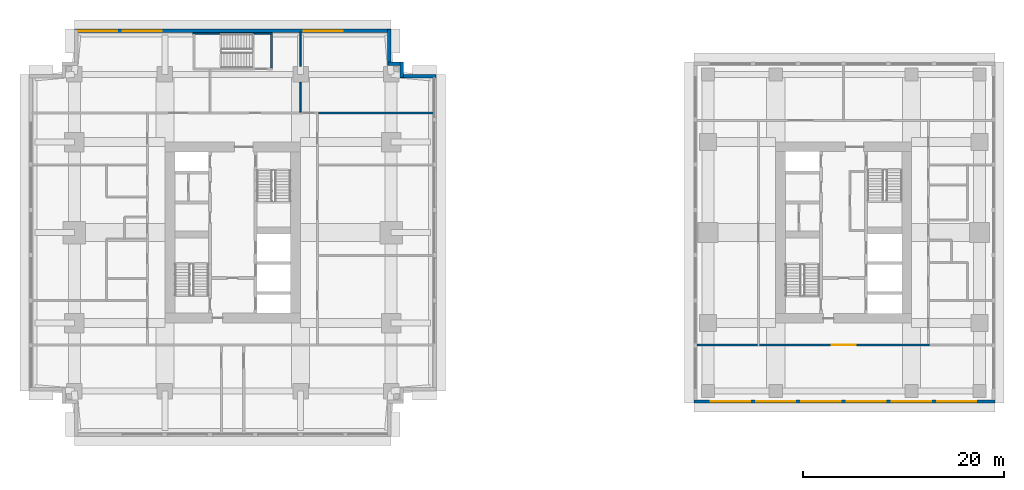
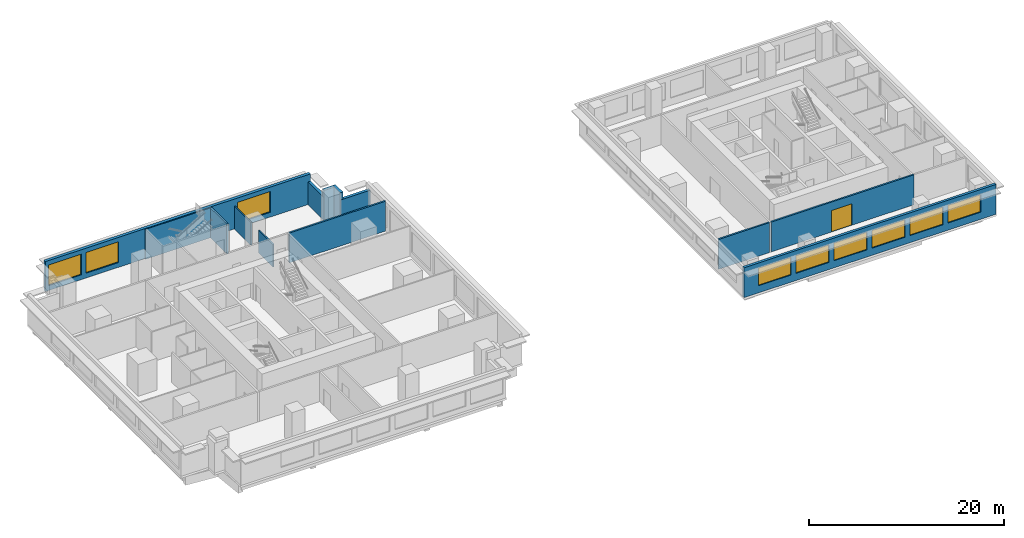
# One storey, part 5 of 10: 13 walls, 9 windows, 1 door, 10 openings.
"""IFC4 building model written with IfcOpenShell, lengths in metres."""

from ifc_helpers import new_model, si_unit, direction, frame, frame_2d, origin, place, context, subcontext, project, spatial, rectangle, extrude, material, layer, layer_set, type_object, element, fill, save


model = new_model("IFC4")

# Units and contexts
model_context = context("Model", 3, precision=1e-05, world=origin(), true_north=direction((0.0, 1.0)))
body_context = subcontext(model_context, "Body", "Model", "MODEL_VIEW")
ifc_project = project(units=[si_unit("LENGTHUNIT", "METRE"), si_unit("AREAUNIT", "SQUARE_METRE"), si_unit("VOLUMEUNIT", "CUBIC_METRE"), si_unit("PLANEANGLEUNIT", "RADIAN"), si_unit("MASSUNIT", "GRAM", prefix="KILO")], contexts=[model_context])

# Site, building, storey
site_placement = place(None, origin())
site = spatial("IfcSite", under=ifc_project, at=site_placement, CompositionType="ELEMENT")
building_placement = place(site_placement, origin())
building = spatial("IfcBuilding", under=site, at=building_placement, Name="Namib Vertical Campus", CompositionType="ELEMENT")
storey_placement = place(building_placement, frame((0.0, 0.0, 229.0)))
storey = spatial("IfcBuildingStorey", under=building, at=storey_placement, Name="L54", CompositionType="ELEMENT", Elevation=229.0)

# Wall
ifc_material_1 = material(Name="Concrete masonry", Category="masonry")
ifc_layer_1 = layer(ifc_material_1, 0.199951171875)
ifc_layer_set_1 = layer_set([ifc_layer_1], Name="Corridor wall 200")
wall_type_1 = type_object("IfcWallType", Name="Corridor wall 200", PredefinedType="SOLIDWALL", material=ifc_layer_set_1)
wall_1_placement = place(storey_placement, frame((28.800048828125, 32.14990234375, 0.0), z_axis=(0.0, 0.0, 1.0), x_axis=(1.0, 0.0, 0.0)))
element("IfcWall", 1, at=wall_1_placement, inside=storey, type_object=wall_type_1, Name="Partition A L54 BNE", PredefinedType="SOLIDWALL", context=body_context, shape_type="SweptSolid", body=[
    extrude(rectangle(XDim=11.39990234375, YDim=0.199951171875, at=frame_2d((5.699951171875, 0.0))), origin(), (0.0, 0.0, 1.0), 3.75),
])

# Wall, opening, door
wall_2_placement = place(storey_placement, frame((72.64990234375, 9.10009765625, 0.0), z_axis=(0.0, 0.0, 1.0), x_axis=(1.0, 0.0, 0.0)))
wall_2 = element("IfcWall", 2, at=wall_2_placement, inside=storey, type_object=wall_type_1, Name="Corridor wall B L54 CS", PredefinedType="SOLIDWALL", context=body_context, shape_type="SweptSolid", body=[
    extrude(rectangle(XDim=16.900146484375, YDim=0.199951171875, at=frame_2d((8.4501953125, 0.0))), origin(), (0.0, 0.0, 1.0), 3.75),
])
opening_1_placement = place(wall_2_placement, frame((7.14990234375, 0.0, 0.0)))
opening_1 = element("IfcOpeningElement", 3, at=opening_1_placement, cuts=wall_2, Name="Opening PD1", PredefinedType="OPENING", context=body_context, shape_type="SweptSolid", body=[
    extrude(rectangle(XDim=2.39990234375, YDim=2.699951171875, at=frame_2d((1.199951171875, 1.35009765625))), frame((0.0, 0.10986328125, 0.0), z_axis=(0.0, -1.0, 0.0), x_axis=(1.0, 0.0, 0.0)), (0.0, 0.0, 1.0), 0.219970703125),
])
ifc_material_2 = material(Name="Steel fire door", Category="steel")
door_type = type_object("IfcDoorType", Name="Plant room door pair 2400x2700 60 min", OperationType="DOUBLE_DOOR_SINGLE_SWING", PredefinedType="DOOR", material=ifc_material_2)
door_placement = place(opening_1_placement, frame((2.39990234375, 0.0, 0.0), z_axis=(0.0, 0.0, 1.0), x_axis=(-1.0, 0.0, 0.0)))
door = element("IfcDoor", 4, at=door_placement, inside=storey, type_object=door_type, Name="Door PD1 B54-01", OperationType="DOUBLE_DOOR_SINGLE_SWING", OverallHeight=2.699951171875, OverallWidth=2.39990234375, PredefinedType="DOOR", context=body_context, shape_type="SweptSolid", body=[
    extrude(rectangle(XDim=2.39990234375, YDim=2.699951171875, at=frame_2d((1.199951171875, 1.35009765625))), frame((0.0, 0.02490234375, 0.0), z_axis=(0.0, -1.0, 0.0), x_axis=(1.0, 0.0, 0.0)), (0.0, 0.0, 1.0), 0.050048828125),
])
fill(opening_1, door)

# Wall
wall_3_placement = place(storey_placement, frame((66.39990234375, 9.10009765625, 0.0), z_axis=(0.0, 0.0, 1.0), x_axis=(1.0, 0.0, 0.0)))
element("IfcWall", 5, at=wall_3_placement, inside=storey, type_object=wall_type_1, Name="Partition B L54 BSW", PredefinedType="SOLIDWALL", context=body_context, shape_type="SweptSolid", body=[
    extrude(rectangle(XDim=6.050048828125, YDim=0.199951171875, at=frame_2d((3.02490234375, 0.0))), origin(), (0.0, 0.0, 1.0), 3.75),
])

# Wall, openings, windows
ifc_material_3 = material(Name="Concrete C40/50", Category="concrete")
ifc_layer_2 = layer(ifc_material_3, 0.300048828125)
ifc_layer_set_2 = layer_set([ifc_layer_2], Name="Concrete C40/50")
wall_type_2 = type_object("IfcWallType", Name="External wall 300 board-marked concrete", PredefinedType="STANDARD", material=ifc_layer_set_2)
wall_4_placement = place(storey_placement, frame((66.1201171875, 3.449951171875, 0.0), z_axis=(0.0, 0.0, 1.0), x_axis=(1.0, 0.0, 0.0)))
wall_4 = element("IfcWall", 6, at=wall_4_placement, inside=storey, type_object=wall_type_2, Name="External wall L54 F01", PredefinedType="STANDARD", context=body_context, shape_type="SweptSolid", body=[
    extrude(rectangle(XDim=29.909912109375, YDim=0.300048828125, at=frame_2d((14.955078125, 0.0))), origin(), (0.0, 0.0, 1.0), 3.75),
])
opening_2_placement = place(wall_4_placement, frame((1.679931640625, 0.0, 0.89990234375)))
opening_2 = element("IfcOpeningElement", 7, at=opening_2_placement, cuts=wall_4, Name="Opening LV1", PredefinedType="OPENING", context=body_context, shape_type="SweptSolid", body=[
    extrude(rectangle(XDim=3.89990234375, YDim=2.199951171875, at=frame_2d((1.949951171875, 1.10009765625))), frame((0.0, 0.159912109375, 0.0), z_axis=(0.0, -1.0, 0.0), x_axis=(1.0, 0.0, 0.0)), (0.0, 0.0, 1.0), 0.320068359375),
])
opening_3_placement = place(wall_4_placement, frame((6.179931640625, 0.0, 0.89990234375)))
opening_3 = element("IfcOpeningElement", 8, at=opening_3_placement, cuts=wall_4, Name="Opening LV1", PredefinedType="OPENING", context=body_context, shape_type="SweptSolid", body=[
    extrude(rectangle(XDim=3.89990234375, YDim=2.199951171875, at=frame_2d((1.949951171875, 1.10009765625))), frame((0.0, 0.159912109375, 0.0), z_axis=(0.0, -1.0, 0.0), x_axis=(1.0, 0.0, 0.0)), (0.0, 0.0, 1.0), 0.320068359375),
])
opening_4_placement = place(wall_4_placement, frame((10.679931640625, 0.0, 0.89990234375)))
opening_4 = element("IfcOpeningElement", 9, at=opening_4_placement, cuts=wall_4, Name="Opening LV1", PredefinedType="OPENING", context=body_context, shape_type="SweptSolid", body=[
    extrude(rectangle(XDim=3.89990234375, YDim=2.199951171875, at=frame_2d((1.949951171875, 1.10009765625))), frame((0.0, 0.159912109375, 0.0), z_axis=(0.0, -1.0, 0.0), x_axis=(1.0, 0.0, 0.0)), (0.0, 0.0, 1.0), 0.320068359375),
])
opening_5_placement = place(wall_4_placement, frame((15.179931640625, 0.0, 0.89990234375)))
opening_5 = element("IfcOpeningElement", 10, at=opening_5_placement, cuts=wall_4, Name="Opening LV1", PredefinedType="OPENING", context=body_context, shape_type="SweptSolid", body=[
    extrude(rectangle(XDim=3.89990234375, YDim=2.199951171875, at=frame_2d((1.949951171875, 1.10009765625))), frame((0.0, 0.159912109375, 0.0), z_axis=(0.0, -1.0, 0.0), x_axis=(1.0, 0.0, 0.0)), (0.0, 0.0, 1.0), 0.320068359375),
])
opening_6_placement = place(wall_4_placement, frame((19.679931640625, 0.0, 0.89990234375)))
opening_6 = element("IfcOpeningElement", 11, at=opening_6_placement, cuts=wall_4, Name="Opening LV1", PredefinedType="OPENING", context=body_context, shape_type="SweptSolid", body=[
    extrude(rectangle(XDim=3.89990234375, YDim=2.199951171875, at=frame_2d((1.949951171875, 1.10009765625))), frame((0.0, 0.159912109375, 0.0), z_axis=(0.0, -1.0, 0.0), x_axis=(1.0, 0.0, 0.0)), (0.0, 0.0, 1.0), 0.320068359375),
])
opening_7_placement = place(wall_4_placement, frame((24.179931640625, 0.0, 0.89990234375)))
opening_7 = element("IfcOpeningElement", 12, at=opening_7_placement, cuts=wall_4, Name="Opening LV1", PredefinedType="OPENING", context=body_context, shape_type="SweptSolid", body=[
    extrude(rectangle(XDim=3.89990234375, YDim=2.199951171875, at=frame_2d((1.949951171875, 1.10009765625))), frame((0.0, 0.159912109375, 0.0), z_axis=(0.0, -1.0, 0.0), x_axis=(1.0, 0.0, 0.0)), (0.0, 0.0, 1.0), 0.320068359375),
])
ifc_material_4 = material(Name="Black aluminium louvre", Category="aluminium")
window_type_1 = type_object("IfcWindowType", Name="Plant louvre 3900x2200", PartitioningType="SINGLE_PANEL", PredefinedType="WINDOW", material=ifc_material_4)
window_1_placement = place(opening_2_placement, origin())
window_1 = element("IfcWindow", 13, at=window_1_placement, inside=storey, type_object=window_type_1, Name="Plant louvre LV1 L54 F01-1", OverallHeight=2.199951171875, OverallWidth=3.89990234375, PartitioningType="SINGLE_PANEL", PredefinedType="WINDOW", context=body_context, shape_type="SweptSolid", body=[
    extrude(rectangle(XDim=3.89990234375, YDim=2.199951171875, at=frame_2d((1.949951171875, 1.10009765625))), frame((0.0, 0.030029296875, 0.0), z_axis=(0.0, -1.0, 0.0), x_axis=(1.0, 0.0, 0.0)), (0.0, 0.0, 1.0), 0.06005859375),
])
fill(opening_2, window_1)
window_2_placement = place(opening_3_placement, origin())
window_2 = element("IfcWindow", 14, at=window_2_placement, inside=storey, type_object=window_type_1, Name="Plant louvre LV1 L54 F01-2", OverallHeight=2.199951171875, OverallWidth=3.89990234375, PartitioningType="SINGLE_PANEL", PredefinedType="WINDOW", context=body_context, shape_type="SweptSolid", body=[
    extrude(rectangle(XDim=3.89990234375, YDim=2.199951171875, at=frame_2d((1.949951171875, 1.10009765625))), frame((0.0, 0.030029296875, 0.0), z_axis=(0.0, -1.0, 0.0), x_axis=(1.0, 0.0, 0.0)), (0.0, 0.0, 1.0), 0.06005859375),
])
fill(opening_3, window_2)
window_3_placement = place(opening_4_placement, origin())
window_3 = element("IfcWindow", 15, at=window_3_placement, inside=storey, type_object=window_type_1, Name="Plant louvre LV1 L54 F01-3", OverallHeight=2.199951171875, OverallWidth=3.89990234375, PartitioningType="SINGLE_PANEL", PredefinedType="WINDOW", context=body_context, shape_type="SweptSolid", body=[
    extrude(rectangle(XDim=3.89990234375, YDim=2.199951171875, at=frame_2d((1.949951171875, 1.10009765625))), frame((0.0, 0.030029296875, 0.0), z_axis=(0.0, -1.0, 0.0), x_axis=(1.0, 0.0, 0.0)), (0.0, 0.0, 1.0), 0.06005859375),
])
fill(opening_4, window_3)
window_4_placement = place(opening_5_placement, origin())
window_4 = element("IfcWindow", 16, at=window_4_placement, inside=storey, type_object=window_type_1, Name="Plant louvre LV1 L54 F01-4", OverallHeight=2.199951171875, OverallWidth=3.89990234375, PartitioningType="SINGLE_PANEL", PredefinedType="WINDOW", context=body_context, shape_type="SweptSolid", body=[
    extrude(rectangle(XDim=3.89990234375, YDim=2.199951171875, at=frame_2d((1.949951171875, 1.10009765625))), frame((0.0, 0.030029296875, 0.0), z_axis=(0.0, -1.0, 0.0), x_axis=(1.0, 0.0, 0.0)), (0.0, 0.0, 1.0), 0.06005859375),
])
fill(opening_5, window_4)
window_5_placement = place(opening_6_placement, origin())
window_5 = element("IfcWindow", 17, at=window_5_placement, inside=storey, type_object=window_type_1, Name="Plant louvre LV1 L54 F01-5", OverallHeight=2.199951171875, OverallWidth=3.89990234375, PartitioningType="SINGLE_PANEL", PredefinedType="WINDOW", context=body_context, shape_type="SweptSolid", body=[
    extrude(rectangle(XDim=3.89990234375, YDim=2.199951171875, at=frame_2d((1.949951171875, 1.10009765625))), frame((0.0, 0.030029296875, 0.0), z_axis=(0.0, -1.0, 0.0), x_axis=(1.0, 0.0, 0.0)), (0.0, 0.0, 1.0), 0.06005859375),
])
fill(opening_6, window_5)
window_6_placement = place(opening_7_placement, origin())
window_6 = element("IfcWindow", 18, at=window_6_placement, inside=storey, type_object=window_type_1, Name="Plant louvre LV1 L54 F01-6", OverallHeight=2.199951171875, OverallWidth=3.89990234375, PartitioningType="SINGLE_PANEL", PredefinedType="WINDOW", context=body_context, shape_type="SweptSolid", body=[
    extrude(rectangle(XDim=3.89990234375, YDim=2.199951171875, at=frame_2d((1.949951171875, 1.10009765625))), frame((0.0, 0.030029296875, 0.0), z_axis=(0.0, -1.0, 0.0), x_axis=(1.0, 0.0, 0.0)), (0.0, 0.0, 1.0), 0.06005859375),
])
fill(opening_7, window_6)

# Walls
ifc_material_5 = material(Name="Concrete C40/50", Category="concrete")
ifc_layer_3 = layer(ifc_material_5, 0.35009765625)
ifc_layer_set_3 = layer_set([ifc_layer_3], Name="Concrete C40/50")
wall_type_3 = type_object("IfcWallType", Name="External wall 350 bush-hammered concrete", PredefinedType="STANDARD", material=ifc_layer_set_3)
wall_5_placement = place(storey_placement, frame((40.47998046875, 35.824951171875, 0.0), z_axis=(0.0, 0.0, 1.0), x_axis=(-1.0, 0.0, 0.0)))
element("IfcWall", 19, at=wall_5_placement, inside=storey, type_object=wall_type_3, Name="External wall L54 F07", PredefinedType="STANDARD", context=body_context, shape_type="SweptSolid", body=[
    extrude(rectangle(XDim=3.5849609375, YDim=0.35009765625, at=frame_2d((1.79248046875, 0.0))), origin(), (0.0, 0.0, 1.0), 2.85009765625),
])
for number, where, z_axis, x_axis, name in (
    (20, (37.050048828125, 35.669921875, 0.0), (0.0, 0.0, 1.0), (0.0, 1.0, 0.0), "External wall L54 F08"),
    (21, (37.205078125, 37.050048828125, 0.0), (0.0, 0.0, 1.0), (-1.0, 0.0, 0.0), "External wall L54 F09"),
):
    element("IfcWall", number, at=place(storey_placement, frame(where, z_axis=z_axis, x_axis=x_axis)), inside=storey, type_object=wall_type_3, Name=name, PredefinedType="STANDARD", context=body_context, shape_type="SweptSolid", body=[
        extrude(rectangle(XDim=1.53515625, YDim=0.35009765625, at=frame_2d((0.767578125, 0.0))), origin(), (0.0, 0.0, 1.0), 3.75),
    ])
wall_6_placement = place(storey_placement, frame((35.824951171875, 36.89501953125, 0.0), z_axis=(0.0, 0.0, 1.0), x_axis=(0.0, 1.0, 0.0)))
element("IfcWall", 22, at=wall_6_placement, inside=storey, type_object=wall_type_3, Name="External wall L54 F10", PredefinedType="STANDARD", context=body_context, shape_type="SweptSolid", body=[
    extrude(rectangle(XDim=3.5849609375, YDim=0.35009765625, at=frame_2d((1.79248046875, 0.0))), origin(), (0.0, 0.0, 1.0), 2.85009765625),
])

# Wall, openings, windows
wall_7_placement = place(storey_placement, frame((35.97998046875, 40.324951171875, 0.0), z_axis=(0.0, 0.0, 1.0), x_axis=(-1.0, 0.0, 0.0)))
wall_7 = element("IfcWall", 23, at=wall_7_placement, inside=storey, type_object=wall_type_3, Name="External wall L54 F11", PredefinedType="STANDARD", context=body_context, shape_type="SweptSolid", body=[
    extrude(rectangle(XDim=31.4599609375, YDim=0.35009765625, at=frame_2d((15.72998046875, 0.0))), origin(), (0.0, 0.0, 1.0), 3.75),
])
opening_8_placement = place(wall_7_placement, frame((27.2099609375, 0.0, 0.60009765625)))
opening_8 = element("IfcOpeningElement", 24, at=opening_8_placement, cuts=wall_7, Name="Opening W2", PredefinedType="OPENING", context=body_context, shape_type="SweptSolid", body=[
    extrude(rectangle(XDim=3.89990234375, YDim=2.60009765625, at=frame_2d((1.949951171875, 1.300048828125))), frame((0.0, 0.18505859375, 0.0), z_axis=(0.0, -1.0, 0.0), x_axis=(1.0, 0.0, 0.0)), (0.0, 0.0, 1.0), 0.3701171875),
])
opening_9_placement = place(wall_7_placement, frame((22.780029296875, 0.0, 0.60009765625)))
opening_9 = element("IfcOpeningElement", 25, at=opening_9_placement, cuts=wall_7, Name="Opening W2", PredefinedType="OPENING", context=body_context, shape_type="SweptSolid", body=[
    extrude(rectangle(XDim=3.89990234375, YDim=2.60009765625, at=frame_2d((1.949951171875, 1.300048828125))), frame((0.0, 0.18505859375, 0.0), z_axis=(0.0, -1.0, 0.0), x_axis=(1.0, 0.0, 0.0)), (0.0, 0.0, 1.0), 0.3701171875),
])
opening_10_placement = place(wall_7_placement, frame((4.780029296875, 0.0, 0.60009765625)))
opening_10 = element("IfcOpeningElement", 26, at=opening_10_placement, cuts=wall_7, Name="Opening W2", PredefinedType="OPENING", context=body_context, shape_type="SweptSolid", body=[
    extrude(rectangle(XDim=3.89990234375, YDim=2.60009765625, at=frame_2d((1.949951171875, 1.300048828125))), frame((0.0, 0.18505859375, 0.0), z_axis=(0.0, -1.0, 0.0), x_axis=(1.0, 0.0, 0.0)), (0.0, 0.0, 1.0), 0.3701171875),
])
ifc_material_6 = material(Name="Dark tinted glass in black aluminium frame", Category="aluminium")
window_type_2 = type_object("IfcWindowType", Name="Ribbon window 3900x2600", PartitioningType="SINGLE_PANEL", PredefinedType="WINDOW", material=ifc_material_6)
window_7_placement = place(opening_8_placement, origin())
window_7 = element("IfcWindow", 27, at=window_7_placement, inside=storey, type_object=window_type_2, Name="Window W2 L54 F11-1", OverallHeight=2.60009765625, OverallWidth=3.89990234375, PartitioningType="SINGLE_PANEL", PredefinedType="WINDOW", context=body_context, shape_type="SweptSolid", body=[
    extrude(rectangle(XDim=3.89990234375, YDim=2.60009765625, at=frame_2d((1.949951171875, 1.300048828125))), frame((0.0, 0.030029296875, 0.0), z_axis=(0.0, -1.0, 0.0), x_axis=(1.0, 0.0, 0.0)), (0.0, 0.0, 1.0), 0.06005859375),
])
fill(opening_8, window_7)
window_8_placement = place(opening_9_placement, origin())
window_8 = element("IfcWindow", 28, at=window_8_placement, inside=storey, type_object=window_type_2, Name="Window W2 L54 F11-2", OverallHeight=2.60009765625, OverallWidth=3.89990234375, PartitioningType="SINGLE_PANEL", PredefinedType="WINDOW", context=body_context, shape_type="SweptSolid", body=[
    extrude(rectangle(XDim=3.89990234375, YDim=2.60009765625, at=frame_2d((1.949951171875, 1.300048828125))), frame((0.0, 0.030029296875, 0.0), z_axis=(0.0, -1.0, 0.0), x_axis=(1.0, 0.0, 0.0)), (0.0, 0.0, 1.0), 0.06005859375),
])
fill(opening_9, window_8)
window_9_placement = place(opening_10_placement, origin())
window_9 = element("IfcWindow", 29, at=window_9_placement, inside=storey, type_object=window_type_2, Name="Window W2 L54 F11-6", OverallHeight=2.60009765625, OverallWidth=3.89990234375, PartitioningType="SINGLE_PANEL", PredefinedType="WINDOW", context=body_context, shape_type="SweptSolid", body=[
    extrude(rectangle(XDim=3.89990234375, YDim=2.60009765625, at=frame_2d((1.949951171875, 1.300048828125))), frame((0.0, 0.030029296875, 0.0), z_axis=(0.0, -1.0, 0.0), x_axis=(1.0, 0.0, 0.0)), (0.0, 0.0, 1.0), 0.06005859375),
])
fill(opening_10, window_9)

# Walls
ifc_material_7 = material(Name="Gypsum board on steel studs", Category="steel")
ifc_layer_4 = layer(ifc_material_7, 0.14990234375)
ifc_layer_set_4 = layer_set([ifc_layer_4], Name="Gypsum board on steel studs")
wall_type_4 = type_object("IfcWallType", Name="Partition 150", PredefinedType="PARTITIONING", material=ifc_layer_set_4)
wall_8_placement = place(storey_placement, frame((27.0, 32.25, 0.0), z_axis=(0.0, 0.0, 1.0), x_axis=(0.0, 1.0, 0.0)))
element("IfcWall", 30, at=wall_8_placement, inside=storey, type_object=wall_type_4, Name="Partition A L54 PN2", PredefinedType="PARTITIONING", context=body_context, shape_type="SweptSolid", body=[
    extrude(rectangle(XDim=2.955078125, YDim=0.14990234375, at=frame_2d((1.4775390625, 0.0))), origin(), (0.0, 0.0, 1.0), 2.85009765625),
])
wall_9_placement = place(storey_placement, frame((27.0, 36.794921875, 0.0), z_axis=(0.0, 0.0, 1.0), x_axis=(0.0, 1.0, 0.0)))
element("IfcWall", 31, at=wall_9_placement, inside=storey, type_object=wall_type_4, Name="Partition A L54 PN2", PredefinedType="PARTITIONING", context=body_context, shape_type="SweptSolid", body=[
    extrude(rectangle(XDim=3.405029296875, YDim=0.14990234375, at=frame_2d((1.70263671875, 0.0))), origin(), (0.0, 0.0, 1.0), 2.85009765625),
])
ifc_material_8 = material(Name="Concrete C40/50", Category="concrete")
ifc_layer_5 = layer(ifc_material_8, 0.14990234375)
ifc_layer_set_5 = layer_set([ifc_layer_5], Name="Concrete C40/50")
wall_type_5 = type_object("IfcWallType", Name="Stair enclosure wall RC 150", PredefinedType="SOLIDWALL", material=ifc_layer_set_5)
wall_10_placement = place(storey_placement, frame((16.300048828125, 40.074951171875, 0.0), z_axis=(0.0, 0.0, 1.0), x_axis=(1.0, 0.0, 0.0)))
element("IfcWall", 32, at=wall_10_placement, inside=storey, type_object=wall_type_5, Name="Stair enclosure wall A-S3 L54 N", PredefinedType="SOLIDWALL", context=body_context, shape_type="SweptSolid", body=[
    extrude(rectangle(XDim=7.89990234375, YDim=0.14990234375, at=frame_2d((3.949951171875, 0.0))), origin(), (0.0, 0.0, 1.0), 3.75),
])
ifc_material_9 = material(Name="Concrete C40/50", Category="concrete")
ifc_layer_6 = layer(ifc_material_9, 0.199951171875)
ifc_layer_set_6 = layer_set([ifc_layer_6], Name="Concrete C40/50")
wall_type_6 = type_object("IfcWallType", Name="Stair enclosure wall RC 200", PredefinedType="SOLIDWALL", material=ifc_layer_set_6)
wall_11_placement = place(storey_placement, frame((24.10009765625, 36.64990234375, 0.0), z_axis=(0.0, 0.0, 1.0), x_axis=(0.0, 1.0, 0.0)))
element("IfcWall", 33, at=wall_11_placement, inside=storey, type_object=wall_type_6, Name="Stair enclosure wall A-S3 L54 E", PredefinedType="SOLIDWALL", context=body_context, shape_type="SweptSolid", body=[
    extrude(rectangle(XDim=3.35009765625, YDim=0.199951171875, at=frame_2d((1.675048828125, 0.0))), origin(), (0.0, 0.0, 1.0), 3.75),
])

save(model, "model.ifc")
